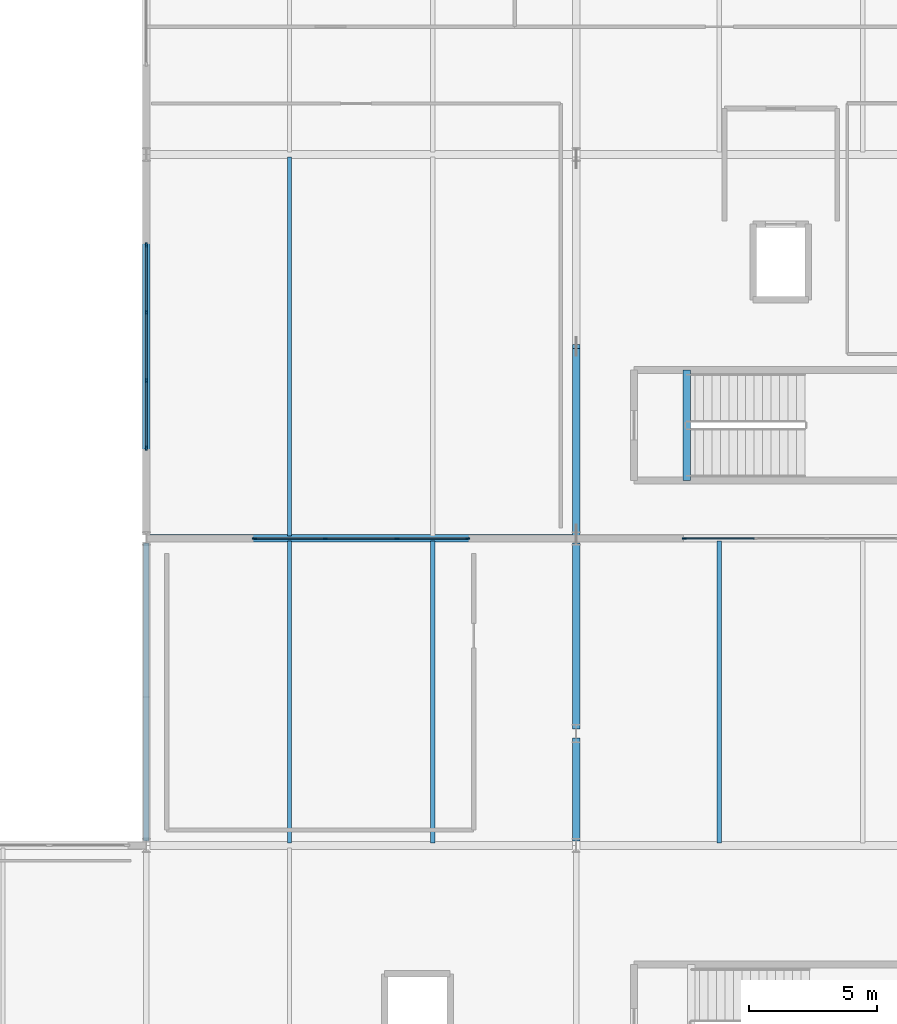
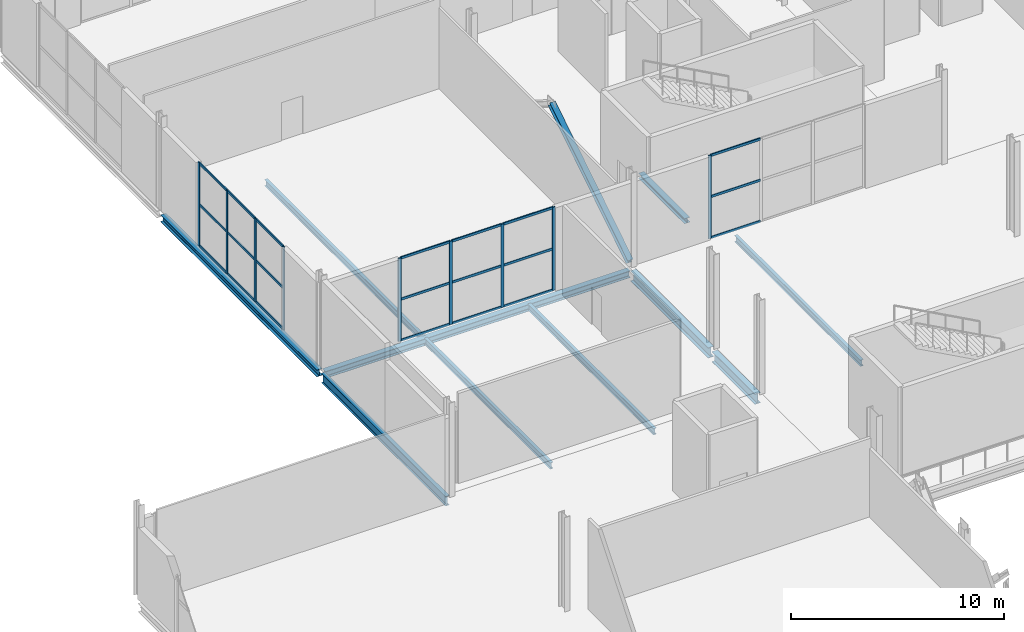
# One storey, part 27 of 84: 31 members, 10 beams, 3 elements without a shape of their own.
"""IFC4 building model written with IfcOpenShell, lengths in metres."""

from ifc_helpers import new_model, si_unit, direction, frame, origin, origin_2d, place, context, subcontext, project, spatial, rectangle, i_section, extrude, material, material_profile, profile_set, type_object, element, aggregate, save


model = new_model("IFC4")

# Units and contexts
model_context = context("Model", 3, precision=1e-05, world=origin(), true_north=direction((0.0, 1.0)))
body_context = subcontext(model_context, "Body", "Model", "MODEL_VIEW")
ifc_project = project(units=[si_unit("LENGTHUNIT", "METRE"), si_unit("AREAUNIT", "SQUARE_METRE"), si_unit("VOLUMEUNIT", "CUBIC_METRE"), si_unit("PLANEANGLEUNIT", "RADIAN"), si_unit("MASSUNIT", "GRAM", prefix="KILO")], contexts=[model_context])

# Site, building, storey
site_placement = place(None, origin())
site = spatial("IfcSite", under=ifc_project, at=site_placement, CompositionType="ELEMENT")
building_placement = place(site_placement, origin())
building = spatial("IfcBuilding", under=site, at=building_placement, Name="Kimbaza Rail Terminus", CompositionType="ELEMENT")
storey_placement = place(building_placement, frame((0.0, 0.0, 5.39990234375)))
storey = spatial("IfcBuildingStorey", under=building, at=storey_placement, Name="L01", CompositionType="ELEMENT", Elevation=5.39990234375)

# Curtain wall, members
ifc_material_1 = material(Name="Anodised aluminium framing and solar low-E glazing", Category="aluminium")
curtain_wall_type = type_object("IfcCurtainWallType", Name="ARC-CW-OP1", PredefinedType="USERDEFINED", material=ifc_material_1)
curtain_wall_1_placement = place(storey_placement, origin())
curtain_wall_1 = element("IfcCurtainWall", 1, at=curtain_wall_1_placement, inside=storey, type_object=curtain_wall_type, Name="Operations South Curtain Wall L01 Bay 1", ObjectType="UNITISED CURTAIN WALL", PredefinedType="USERDEFINED")
ifc_material_2 = material(Name="Anodised architectural aluminium", Category="aluminium")
ifc_material_profile_1 = material_profile(ifc_material_2, rectangle(XDim=0.06201171875, YDim=0.1650390625, at=origin_2d()), Name="MULLION 62x165")
ifc_profile_set_1 = profile_set([ifc_material_profile_1], Name="Anodised architectural aluminium")
member_type_1 = type_object("IfcMemberType", Name="ARC-CWM-05", PredefinedType="MULLION", material=ifc_profile_set_1)
member_1_placement = place(storey_placement, frame((59.430908203125, 103.0, 0.0), z_axis=(0.0, 0.0, 1.0), x_axis=(0.0, 1.0, 0.0)))
member_1 = element("IfcMember", 2, at=member_1_placement, type_object=member_type_1, Name="CW-05 mullion 1", PredefinedType="MULLION", context=body_context, shape_type="SweptSolid", body=[
    extrude(rectangle(XDim=0.06201171875, YDim=0.1650390625, at=origin_2d()), origin(), (0.0, 0.0, 1.0), 4.76513671875),
])
member_2_placement = place(storey_placement, frame((62.199951171875, 103.0, 0.0), z_axis=(0.0, 0.0, 1.0), x_axis=(0.0, 1.0, 0.0)))
member_2 = element("IfcMember", 3, at=member_2_placement, type_object=member_type_1, Name="CW-05 mullion 2", PredefinedType="MULLION", context=body_context, shape_type="SweptSolid", body=[
    extrude(rectangle(XDim=0.06201171875, YDim=0.1650390625, at=origin_2d()), origin(), (0.0, 0.0, 1.0), 4.76513671875),
])
member_3_placement = place(storey_placement, frame((65.0, 103.0, 0.0), z_axis=(0.0, 0.0, 1.0), x_axis=(0.0, 1.0, 0.0)))
member_3 = element("IfcMember", 4, at=member_3_placement, type_object=member_type_1, Name="CW-05 mullion 3", PredefinedType="MULLION", context=body_context, shape_type="SweptSolid", body=[
    extrude(rectangle(XDim=0.06201171875, YDim=0.1650390625, at=origin_2d()), origin(), (0.0, 0.0, 1.0), 4.76513671875),
])
member_4_placement = place(storey_placement, frame((67.76904296875, 103.0, 0.0), z_axis=(0.0, 0.0, 1.0), x_axis=(0.0, 1.0, 0.0)))
member_4 = element("IfcMember", 5, at=member_4_placement, type_object=member_type_1, Name="CW-05 mullion 4", PredefinedType="MULLION", context=body_context, shape_type="SweptSolid", body=[
    extrude(rectangle(XDim=0.06201171875, YDim=0.1650390625, at=origin_2d()), origin(), (0.0, 0.0, 1.0), 4.76513671875),
])

# Curtain wall, member
curtain_wall_2_placement = place(storey_placement, origin())
curtain_wall_2 = element("IfcCurtainWall", 6, at=curtain_wall_2_placement, inside=storey, type_object=curtain_wall_type, Name="Operations South Curtain Wall L01 Bay 2", ObjectType="UNITISED CURTAIN WALL", PredefinedType="USERDEFINED")
member_5_placement = place(storey_placement, frame((76.23095703125, 103.0, 0.0), z_axis=(0.0, 0.0, 1.0), x_axis=(0.0, 1.0, 0.0)))
member_5 = element("IfcMember", 7, at=member_5_placement, type_object=member_type_1, Name="CW-05 mullion 1", PredefinedType="MULLION", context=body_context, shape_type="SweptSolid", body=[
    extrude(rectangle(XDim=0.06201171875, YDim=0.1650390625, at=origin_2d()), origin(), (0.0, 0.0, 1.0), 4.76513671875),
])

# Curtain wall, members
curtain_wall_3_placement = place(storey_placement, origin())
curtain_wall_3 = element("IfcCurtainWall", 8, at=curtain_wall_3_placement, inside=storey, type_object=curtain_wall_type, Name="Operations W Curtain Wall L01.1", ObjectType="UNITISED CURTAIN WALL", PredefinedType="USERDEFINED")
member_6_placement = place(storey_placement, frame((55.199951171875, 106.531005859375, 0.0), z_axis=(0.0, 0.0, 1.0), x_axis=(-1.0, 0.0, 0.0)))
member_6 = element("IfcMember", 9, at=member_6_placement, type_object=member_type_1, Name="CW-05 mullion 1", PredefinedType="MULLION", context=body_context, shape_type="SweptSolid", body=[
    extrude(rectangle(XDim=0.06201171875, YDim=0.1650390625, at=origin_2d()), origin(), (0.0, 0.0, 1.0), 4.76513671875),
])
member_7_placement = place(storey_placement, frame((55.199951171875, 109.166748046875, 0.0), z_axis=(0.0, 0.0, 1.0), x_axis=(-1.0, 0.0, 0.0)))
member_7 = element("IfcMember", 10, at=member_7_placement, type_object=member_type_1, Name="CW-05 mullion 2", PredefinedType="MULLION", context=body_context, shape_type="SweptSolid", body=[
    extrude(rectangle(XDim=0.06201171875, YDim=0.1650390625, at=origin_2d()), origin(), (0.0, 0.0, 1.0), 4.76513671875),
])
member_8_placement = place(storey_placement, frame((55.199951171875, 111.833251953125, 0.0), z_axis=(0.0, 0.0, 1.0), x_axis=(-1.0, 0.0, 0.0)))
member_8 = element("IfcMember", 11, at=member_8_placement, type_object=member_type_1, Name="CW-05 mullion 3", PredefinedType="MULLION", context=body_context, shape_type="SweptSolid", body=[
    extrude(rectangle(XDim=0.06201171875, YDim=0.1650390625, at=origin_2d()), origin(), (0.0, 0.0, 1.0), 4.76513671875),
])
member_9_placement = place(storey_placement, frame((55.199951171875, 114.468994140625, 0.0), z_axis=(0.0, 0.0, 1.0), x_axis=(-1.0, 0.0, 0.0)))
member_9 = element("IfcMember", 12, at=member_9_placement, type_object=member_type_1, Name="CW-05 mullion 4", PredefinedType="MULLION", context=body_context, shape_type="SweptSolid", body=[
    extrude(rectangle(XDim=0.06201171875, YDim=0.1650390625, at=origin_2d()), origin(), (0.0, 0.0, 1.0), 4.76513671875),
])

# Member
ifc_material_3 = material(Name="Anodised architectural aluminium", Category="aluminium")
ifc_material_profile_2 = material_profile(ifc_material_3, rectangle(XDim=0.06201171875, YDim=0.135009765625, at=origin_2d()), Name="TRANSOM 62x135")
ifc_profile_set_2 = profile_set([ifc_material_profile_2], Name="Anodised architectural aluminium")
member_type_2 = type_object("IfcMemberType", Name="ARC-CWT-05", PredefinedType="USERDEFINED", material=ifc_profile_set_2)
member_10_placement = place(storey_placement, frame((59.4619140625, 103.0, 0.031005859375), z_axis=(1.0, 0.0, 0.0), x_axis=(0.0, 1.0, 0.0)))
member_10 = element("IfcMember", 13, at=member_10_placement, type_object=member_type_2, Name="CW-05 transom 1.1", ObjectType="TRANSOM", PredefinedType="USERDEFINED", context=body_context, shape_type="SweptSolid", body=[
    extrude(rectangle(XDim=0.06201171875, YDim=0.135009765625, at=origin_2d()), origin(), (0.0, 0.0, 1.0), 2.70703125),
])

member_11_placement = place(storey_placement, frame((59.4619140625, 103.0, 2.382568359375), z_axis=(1.0, 0.0, 0.0), x_axis=(0.0, 1.0, 0.0)))
member_11 = element("IfcMember", 14, at=member_11_placement, type_object=member_type_2, Name="CW-05 transom 1.2", ObjectType="TRANSOM", PredefinedType="USERDEFINED", context=body_context, shape_type="SweptSolid", body=[
    extrude(rectangle(XDim=0.06201171875, YDim=0.135009765625, at=origin_2d()), origin(), (0.0, 0.0, 1.0), 2.70703125),
])

member_12_placement = place(storey_placement, frame((59.4619140625, 103.0, 4.734130859375), z_axis=(1.0, 0.0, 0.0), x_axis=(0.0, 1.0, 0.0)))
member_12 = element("IfcMember", 15, at=member_12_placement, type_object=member_type_2, Name="CW-05 transom 1.3", ObjectType="TRANSOM", PredefinedType="USERDEFINED", context=body_context, shape_type="SweptSolid", body=[
    extrude(rectangle(XDim=0.06201171875, YDim=0.135009765625, at=origin_2d()), origin(), (0.0, 0.0, 1.0), 2.70703125),
])

member_13_placement = place(storey_placement, frame((62.23095703125, 103.0, 0.031005859375), z_axis=(1.0, 0.0, 0.0), x_axis=(0.0, 1.0, 0.0)))
member_13 = element("IfcMember", 16, at=member_13_placement, type_object=member_type_2, Name="CW-05 transom 2.1", ObjectType="TRANSOM", PredefinedType="USERDEFINED", context=body_context, shape_type="SweptSolid", body=[
    extrude(rectangle(XDim=0.06201171875, YDim=0.135009765625, at=origin_2d()), origin(), (0.0, 0.0, 1.0), 2.738037109375),
])

member_14_placement = place(storey_placement, frame((62.23095703125, 103.0, 2.382568359375), z_axis=(1.0, 0.0, 0.0), x_axis=(0.0, 1.0, 0.0)))
member_14 = element("IfcMember", 17, at=member_14_placement, type_object=member_type_2, Name="CW-05 transom 2.2", ObjectType="TRANSOM", PredefinedType="USERDEFINED", context=body_context, shape_type="SweptSolid", body=[
    extrude(rectangle(XDim=0.06201171875, YDim=0.135009765625, at=origin_2d()), origin(), (0.0, 0.0, 1.0), 2.738037109375),
])

member_15_placement = place(storey_placement, frame((62.23095703125, 103.0, 4.734130859375), z_axis=(1.0, 0.0, 0.0), x_axis=(0.0, 1.0, 0.0)))
member_15 = element("IfcMember", 18, at=member_15_placement, type_object=member_type_2, Name="CW-05 transom 2.3", ObjectType="TRANSOM", PredefinedType="USERDEFINED", context=body_context, shape_type="SweptSolid", body=[
    extrude(rectangle(XDim=0.06201171875, YDim=0.135009765625, at=origin_2d()), origin(), (0.0, 0.0, 1.0), 2.738037109375),
])

member_16_placement = place(storey_placement, frame((65.031005859375, 103.0, 0.031005859375), z_axis=(1.0, 0.0, 0.0), x_axis=(0.0, 1.0, 0.0)))
member_16 = element("IfcMember", 19, at=member_16_placement, type_object=member_type_2, Name="CW-05 transom 3.1", ObjectType="TRANSOM", PredefinedType="USERDEFINED", context=body_context, shape_type="SweptSolid", body=[
    extrude(rectangle(XDim=0.06201171875, YDim=0.135009765625, at=origin_2d()), origin(), (0.0, 0.0, 1.0), 2.70703125),
])

member_17_placement = place(storey_placement, frame((65.031005859375, 103.0, 2.382568359375), z_axis=(1.0, 0.0, 0.0), x_axis=(0.0, 1.0, 0.0)))
member_17 = element("IfcMember", 20, at=member_17_placement, type_object=member_type_2, Name="CW-05 transom 3.2", ObjectType="TRANSOM", PredefinedType="USERDEFINED", context=body_context, shape_type="SweptSolid", body=[
    extrude(rectangle(XDim=0.06201171875, YDim=0.135009765625, at=origin_2d()), origin(), (0.0, 0.0, 1.0), 2.70703125),
])

member_18_placement = place(storey_placement, frame((65.031005859375, 103.0, 4.734130859375), z_axis=(1.0, 0.0, 0.0), x_axis=(0.0, 1.0, 0.0)))
member_18 = element("IfcMember", 21, at=member_18_placement, type_object=member_type_2, Name="CW-05 transom 3.3", ObjectType="TRANSOM", PredefinedType="USERDEFINED", context=body_context, shape_type="SweptSolid", body=[
    extrude(rectangle(XDim=0.06201171875, YDim=0.135009765625, at=origin_2d()), origin(), (0.0, 0.0, 1.0), 2.70703125),
])

aggregate(curtain_wall_1, [member_1, member_2, member_3, member_4, member_10, member_11, member_12, member_13, member_14, member_15, member_16, member_17, member_18])

member_19_placement = place(storey_placement, frame((76.261962890625, 103.0, 0.031005859375), z_axis=(1.0, 0.0, 0.0), x_axis=(0.0, 1.0, 0.0)))
member_19 = element("IfcMember", 22, at=member_19_placement, type_object=member_type_2, Name="CW-05 transom 1.1", ObjectType="TRANSOM", PredefinedType="USERDEFINED", context=body_context, shape_type="SweptSolid", body=[
    extrude(rectangle(XDim=0.06201171875, YDim=0.135009765625, at=origin_2d()), origin(), (0.0, 0.0, 1.0), 2.70703125),
])

member_20_placement = place(storey_placement, frame((76.261962890625, 103.0, 2.382568359375), z_axis=(1.0, 0.0, 0.0), x_axis=(0.0, 1.0, 0.0)))
member_20 = element("IfcMember", 23, at=member_20_placement, type_object=member_type_2, Name="CW-05 transom 1.2", ObjectType="TRANSOM", PredefinedType="USERDEFINED", context=body_context, shape_type="SweptSolid", body=[
    extrude(rectangle(XDim=0.06201171875, YDim=0.135009765625, at=origin_2d()), origin(), (0.0, 0.0, 1.0), 2.70703125),
])

member_21_placement = place(storey_placement, frame((76.261962890625, 103.0, 4.734130859375), z_axis=(1.0, 0.0, 0.0), x_axis=(0.0, 1.0, 0.0)))
member_21 = element("IfcMember", 24, at=member_21_placement, type_object=member_type_2, Name="CW-05 transom 1.3", ObjectType="TRANSOM", PredefinedType="USERDEFINED", context=body_context, shape_type="SweptSolid", body=[
    extrude(rectangle(XDim=0.06201171875, YDim=0.135009765625, at=origin_2d()), origin(), (0.0, 0.0, 1.0), 2.70703125),
])

aggregate(curtain_wall_2, [member_5, member_19, member_20, member_21])

member_22_placement = place(storey_placement, frame((55.199951171875, 106.56201171875, 0.031005859375), z_axis=(0.0, 1.0, 0.0), x_axis=(-1.0, 0.0, 0.0)))
member_22 = element("IfcMember", 25, at=member_22_placement, type_object=member_type_2, Name="CW-05 transom 1.1", ObjectType="TRANSOM", PredefinedType="USERDEFINED", context=body_context, shape_type="SweptSolid", body=[
    extrude(rectangle(XDim=0.06201171875, YDim=0.135009765625, at=origin_2d()), origin(), (0.0, 0.0, 1.0), 2.57373046875),
])

member_23_placement = place(storey_placement, frame((55.199951171875, 106.56201171875, 2.382568359375), z_axis=(0.0, 1.0, 0.0), x_axis=(-1.0, 0.0, 0.0)))
member_23 = element("IfcMember", 26, at=member_23_placement, type_object=member_type_2, Name="CW-05 transom 1.2", ObjectType="TRANSOM", PredefinedType="USERDEFINED", context=body_context, shape_type="SweptSolid", body=[
    extrude(rectangle(XDim=0.06201171875, YDim=0.135009765625, at=origin_2d()), origin(), (0.0, 0.0, 1.0), 2.57373046875),
])

member_24_placement = place(storey_placement, frame((55.199951171875, 106.56201171875, 4.734130859375), z_axis=(0.0, 1.0, 0.0), x_axis=(-1.0, 0.0, 0.0)))
member_24 = element("IfcMember", 27, at=member_24_placement, type_object=member_type_2, Name="CW-05 transom 1.3", ObjectType="TRANSOM", PredefinedType="USERDEFINED", context=body_context, shape_type="SweptSolid", body=[
    extrude(rectangle(XDim=0.06201171875, YDim=0.135009765625, at=origin_2d()), origin(), (0.0, 0.0, 1.0), 2.57373046875),
])

member_25_placement = place(storey_placement, frame((55.199951171875, 109.19775390625, 0.031005859375), z_axis=(0.0, 1.0, 0.0), x_axis=(-1.0, 0.0, 0.0)))
member_25 = element("IfcMember", 28, at=member_25_placement, type_object=member_type_2, Name="CW-05 transom 2.1", ObjectType="TRANSOM", PredefinedType="USERDEFINED", context=body_context, shape_type="SweptSolid", body=[
    extrude(rectangle(XDim=0.06201171875, YDim=0.135009765625, at=origin_2d()), origin(), (0.0, 0.0, 1.0), 2.6044921875),
])

member_26_placement = place(storey_placement, frame((55.199951171875, 109.19775390625, 2.382568359375), z_axis=(0.0, 1.0, 0.0), x_axis=(-1.0, 0.0, 0.0)))
member_26 = element("IfcMember", 29, at=member_26_placement, type_object=member_type_2, Name="CW-05 transom 2.2", ObjectType="TRANSOM", PredefinedType="USERDEFINED", context=body_context, shape_type="SweptSolid", body=[
    extrude(rectangle(XDim=0.06201171875, YDim=0.135009765625, at=origin_2d()), origin(), (0.0, 0.0, 1.0), 2.6044921875),
])

member_27_placement = place(storey_placement, frame((55.199951171875, 109.19775390625, 4.734130859375), z_axis=(0.0, 1.0, 0.0), x_axis=(-1.0, 0.0, 0.0)))
member_27 = element("IfcMember", 30, at=member_27_placement, type_object=member_type_2, Name="CW-05 transom 2.3", ObjectType="TRANSOM", PredefinedType="USERDEFINED", context=body_context, shape_type="SweptSolid", body=[
    extrude(rectangle(XDim=0.06201171875, YDim=0.135009765625, at=origin_2d()), origin(), (0.0, 0.0, 1.0), 2.6044921875),
])

member_28_placement = place(storey_placement, frame((55.199951171875, 111.8642578125, 0.031005859375), z_axis=(0.0, 1.0, 0.0), x_axis=(-1.0, 0.0, 0.0)))
member_28 = element("IfcMember", 31, at=member_28_placement, type_object=member_type_2, Name="CW-05 transom 3.1", ObjectType="TRANSOM", PredefinedType="USERDEFINED", context=body_context, shape_type="SweptSolid", body=[
    extrude(rectangle(XDim=0.06201171875, YDim=0.135009765625, at=origin_2d()), origin(), (0.0, 0.0, 1.0), 2.57373046875),
])

member_29_placement = place(storey_placement, frame((55.199951171875, 111.8642578125, 2.382568359375), z_axis=(0.0, 1.0, 0.0), x_axis=(-1.0, 0.0, 0.0)))
member_29 = element("IfcMember", 32, at=member_29_placement, type_object=member_type_2, Name="CW-05 transom 3.2", ObjectType="TRANSOM", PredefinedType="USERDEFINED", context=body_context, shape_type="SweptSolid", body=[
    extrude(rectangle(XDim=0.06201171875, YDim=0.135009765625, at=origin_2d()), origin(), (0.0, 0.0, 1.0), 2.57373046875),
])

member_30_placement = place(storey_placement, frame((55.199951171875, 111.8642578125, 4.734130859375), z_axis=(0.0, 1.0, 0.0), x_axis=(-1.0, 0.0, 0.0)))
member_30 = element("IfcMember", 33, at=member_30_placement, type_object=member_type_2, Name="CW-05 transom 3.3", ObjectType="TRANSOM", PredefinedType="USERDEFINED", context=body_context, shape_type="SweptSolid", body=[
    extrude(rectangle(XDim=0.06201171875, YDim=0.135009765625, at=origin_2d()), origin(), (0.0, 0.0, 1.0), 2.57373046875),
])

aggregate(curtain_wall_3, [member_6, member_7, member_8, member_9, member_22, member_23, member_24, member_25, member_26, member_27, member_28, member_29, member_30])

# Beams
ifc_material_4 = material(Name="Steel S355", Category="steel")
ifc_material_profile_3 = material_profile(ifc_material_4, i_section(OverallWidth=0.300048828125, OverallDepth=0.2900390625, WebThickness=0.008544921875, FlangeThickness=0.013916015625, FilletRadius=0.027099609375, at=origin_2d()), Name="HEA 300")
ifc_profile_set_3 = profile_set([ifc_material_profile_3], Name="Steel S355")
beam_type_1 = type_object("IfcBeamType", Name="STR-BM-HEA300", PredefinedType="SPANDREL", material=ifc_profile_set_3)
beam_1_placement = place(storey_placement, frame((76.320068359375, 105.260009765625, -0.385009765625), z_axis=(0.0, 1.0, 0.0), x_axis=(-1.0, 0.0, 0.0)))
element("IfcBeam", 34, at=beam_1_placement, inside=storey, type_object=beam_type_1, Name="Operations West Exit Stair Landing Trimmer Beam L01", PredefinedType="SPANDREL", context=body_context, shape_type="SweptSolid", body=[
    extrude(i_section(OverallWidth=0.300048828125, OverallDepth=0.2900390625, WebThickness=0.008544921875, FlangeThickness=0.013916015625, FilletRadius=0.027099609375, at=origin_2d()), origin(), (0.0, 0.0, 1.0), 4.320068359375),
])
ifc_material_5 = material(Name="Steel S355", Category="steel")
ifc_material_profile_4 = material_profile(ifc_material_5, i_section(OverallWidth=0.300048828125, OverallDepth=0.389892578125, WebThickness=0.010986328125, FlangeThickness=0.01904296875, FilletRadius=0.027099609375, at=origin_2d()), Name="HEA 400")
ifc_profile_set_4 = profile_set([ifc_material_profile_4], Name="Steel S355")
beam_type_2 = type_object("IfcBeamType", Name="STR-BM-HEA400", PredefinedType="SPANDREL", material=ifc_profile_set_4)
beam_2_placement = place(storey_placement, frame((55.345947265625, 103.0, -0.434814453125), z_axis=(1.0, 0.0, 0.0), x_axis=(0.0, 1.0, 0.0)))
element("IfcBeam", 35, at=beam_2_placement, inside=storey, type_object=beam_type_2, Name="Operations Girder L01 X0-Y0", PredefinedType="SPANDREL", context=body_context, shape_type="SweptSolid", body=[
    extrude(i_section(OverallWidth=0.300048828125, OverallDepth=0.389892578125, WebThickness=0.010986328125, FlangeThickness=0.01904296875, FilletRadius=0.027099609375, at=origin_2d()), origin(), (0.0, 0.0, 1.0), 16.508056640625),
])
beam_3_placement = place(storey_placement, frame((55.199951171875, 103.175048828125, -0.434814453125), z_axis=(0.0, 1.0, 0.0), x_axis=(-1.0, 0.0, 0.0)))
element("IfcBeam", 36, at=beam_3_placement, inside=storey, type_object=beam_type_2, Name="Operations Cross Girder L01 X0-Y0", PredefinedType="SPANDREL", context=body_context, shape_type="SweptSolid", body=[
    extrude(i_section(OverallWidth=0.300048828125, OverallDepth=0.389892578125, WebThickness=0.010986328125, FlangeThickness=0.01904296875, FilletRadius=0.027099609375, at=origin_2d()), origin(), (0.0, 0.0, 1.0), 14.64990234375),
])
ifc_material_6 = material(Name="Steel S355", Category="steel")
ifc_material_profile_5 = material_profile(ifc_material_6, i_section(OverallWidth=0.300048828125, OverallDepth=0.60009765625, WebThickness=0.015380859375, FlangeThickness=0.030029296875, FilletRadius=0.027099609375, at=origin_2d()), Name="HEB 600")
ifc_profile_set_5 = profile_set([ifc_material_profile_5], Name="Steel S355")
beam_type_3 = type_object("IfcBeamType", Name="STR-BM-HEB600", PredefinedType="BEAM", material=ifc_profile_set_5)
beam_4_placement = place(storey_placement, frame((72.0, 91.175048828125, -0.52001953125), z_axis=(0.0, 1.0, 0.0), x_axis=(-1.0, 0.0, 0.0)))
element("IfcBeam", 37, at=beam_4_placement, inside=storey, type_object=beam_type_3, Name="Beam BM-VSPN-L01-3", PredefinedType="BEAM", context=body_context, shape_type="SweptSolid", body=[
    extrude(i_section(OverallWidth=0.300048828125, OverallDepth=0.60009765625, WebThickness=0.015380859375, FlangeThickness=0.030029296875, FilletRadius=0.027099609375, at=origin_2d()), origin(), (0.0, 0.0, 1.0), 4.025634765625),
])
beam_5_placement = place(storey_placement, frame((72.0, 95.55078125, -0.52001953125), z_axis=(0.0, 1.0, 0.0), x_axis=(-1.0, 0.0, 0.0)))
element("IfcBeam", 38, at=beam_5_placement, inside=storey, type_object=beam_type_3, Name="Beam BM-VSPN2-L01-3", PredefinedType="BEAM", context=body_context, shape_type="SweptSolid", body=[
    extrude(i_section(OverallWidth=0.300048828125, OverallDepth=0.60009765625, WebThickness=0.015380859375, FlangeThickness=0.030029296875, FilletRadius=0.027099609375, at=origin_2d()), origin(), (0.0, 0.0, 1.0), 7.274169921875),
])
ifc_material_7 = material(Name="Steel S355", Category="steel")
ifc_material_profile_6 = material_profile(ifc_material_7, i_section(OverallWidth=0.169921875, OverallDepth=0.360107421875, WebThickness=0.008056640625, FlangeThickness=0.0126953125, FilletRadius=0.01806640625, at=origin_2d()), Name="IPE 360")
ifc_profile_set_6 = profile_set([ifc_material_profile_6], Name="Steel S355")
beam_type_4 = type_object("IfcBeamType", Name="STR-BM-IPE360", PredefinedType="JOIST", material=ifc_profile_set_6)
beam_6_placement = place(storey_placement, frame((60.800048828125, 103.10009765625, -0.419921875), z_axis=(0.0, 1.0, 0.0), x_axis=(-1.0, 0.0, 0.0)))
element("IfcBeam", 39, at=beam_6_placement, inside=storey, type_object=beam_type_4, Name="Operations Secondary Joist L01", PredefinedType="JOIST", context=body_context, shape_type="SweptSolid", body=[
    extrude(i_section(OverallWidth=0.169921875, OverallDepth=0.360107421875, WebThickness=0.008056640625, FlangeThickness=0.0126953125, FilletRadius=0.01806640625, at=origin_2d()), origin(), (0.0, 0.0, 1.0), 14.7998046875),
])
for number, where, z_axis, x_axis, name in (
    (40, (60.800048828125, 91.10009765625, -0.39990234375), (0.0, 1.0, 0.0), (-1.0, 0.0, 0.0), "Beam JST-V2-L01-0-1-91"),
    (41, (66.39990234375, 91.10009765625, -0.39990234375), (0.0, 1.0, 0.0), (-1.0, 0.0, 0.0), "Beam JST-V2-L01-0-2-91"),
    (42, (77.60009765625, 91.10009765625, -0.39990234375), (0.0, 1.0, 0.0), (-1.0, 0.0, 0.0), "Beam JST-V2-L01-1-1-91"),
):
    element("IfcBeam", number, at=place(storey_placement, frame(where, z_axis=z_axis, x_axis=x_axis)), inside=storey, type_object=beam_type_4, Name=name, PredefinedType="JOIST", context=body_context, shape_type="SweptSolid", body=[
        extrude(i_section(OverallWidth=0.169921875, OverallDepth=0.360107421875, WebThickness=0.008056640625, FlangeThickness=0.0126953125, FilletRadius=0.01806640625, at=origin_2d()), origin(), (0.0, 0.0, 1.0), 11.7998046875),
    ])
ifc_material_8 = material(Name="Steel S355", Category="steel")
ifc_material_profile_7 = material_profile(ifc_material_8, i_section(OverallWidth=0.2099609375, OverallDepth=0.550048828125, WebThickness=0.010986328125, FlangeThickness=0.01708984375, FilletRadius=0.02392578125, at=origin_2d()), Name="IPE 550")
ifc_profile_set_7 = profile_set([ifc_material_profile_7], Name="Steel S355")
beam_type_5 = type_object("IfcBeamType", Name="STR-BM-IPE550", PredefinedType="BEAM", material=ifc_profile_set_7)
beam_7_placement = place(storey_placement, frame((55.199951171875, 91.175048828125, -0.494873046875), z_axis=(0.0, 1.0, 0.0), x_axis=(-1.0, 0.0, 0.0)))
element("IfcBeam", 43, at=beam_7_placement, inside=storey, type_object=beam_type_5, Name="Beam BM-V2Y-L01-0-91", PredefinedType="BEAM", context=body_context, shape_type="SweptSolid", body=[
    extrude(i_section(OverallWidth=0.2099609375, OverallDepth=0.550048828125, WebThickness=0.010986328125, FlangeThickness=0.01708984375, FilletRadius=0.02392578125, at=origin_2d()), origin(), (0.0, 0.0, 1.0), 11.64990234375),
])

# Member
ifc_material_9 = material(Name="Steel S355", Category="steel")
ifc_material_profile_8 = material_profile(ifc_material_9, i_section(OverallWidth=0.300048828125, OverallDepth=0.300048828125, WebThickness=0.010986328125, FlangeThickness=0.01904296875, FilletRadius=0.027099609375, at=origin_2d()), Name="HEB 300")
ifc_profile_set_8 = profile_set([ifc_material_profile_8], Name="Steel S355")
member_type_3 = type_object("IfcMemberType", Name="STR-MB-HEB300", PredefinedType="BRACE", material=ifc_profile_set_8)
member_31_placement = place(storey_placement, frame((72.0, 103.179931640625, 0.050048828125), z_axis=(0.0, 0.846171567323, 0.53291057285), x_axis=(-1.0, 0.0, 0.0)))
element("IfcMember", 44, at=member_31_placement, inside=storey, type_object=member_type_3, Name="Core Chevron Brace 2A", PredefinedType="BRACE", context=body_context, shape_type="SweptSolid", body=[
    extrude(i_section(OverallWidth=0.300048828125, OverallDepth=0.300048828125, WebThickness=0.010986328125, FlangeThickness=0.01904296875, FilletRadius=0.027099609375, at=origin_2d()), origin(), (0.0, 0.0, 1.0), 8.65087890625),
])

save(model, "model.ifc")
